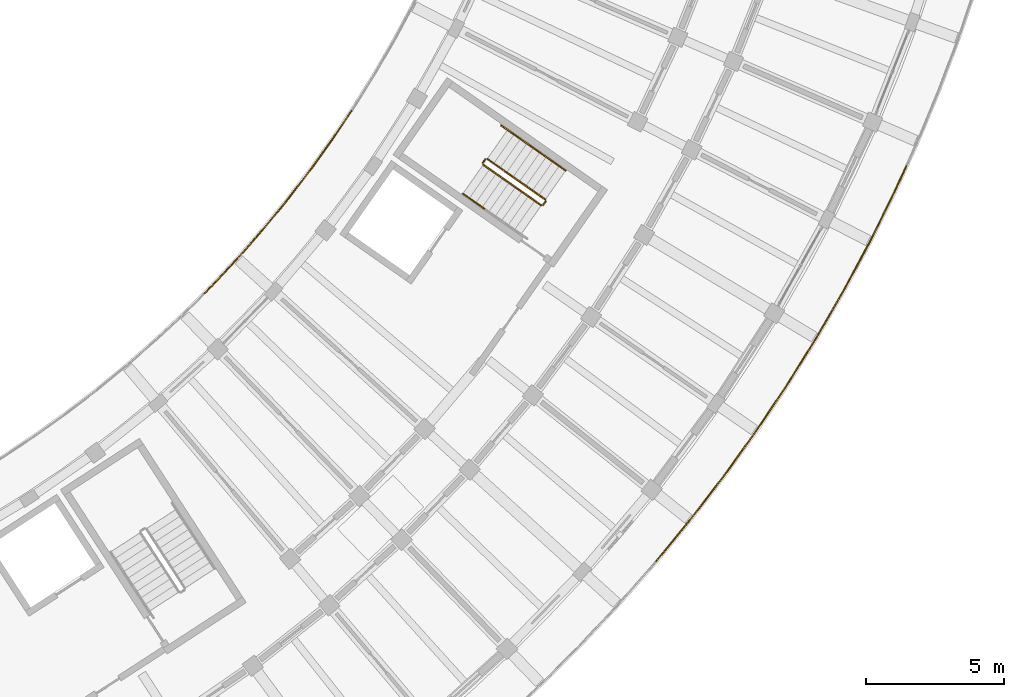
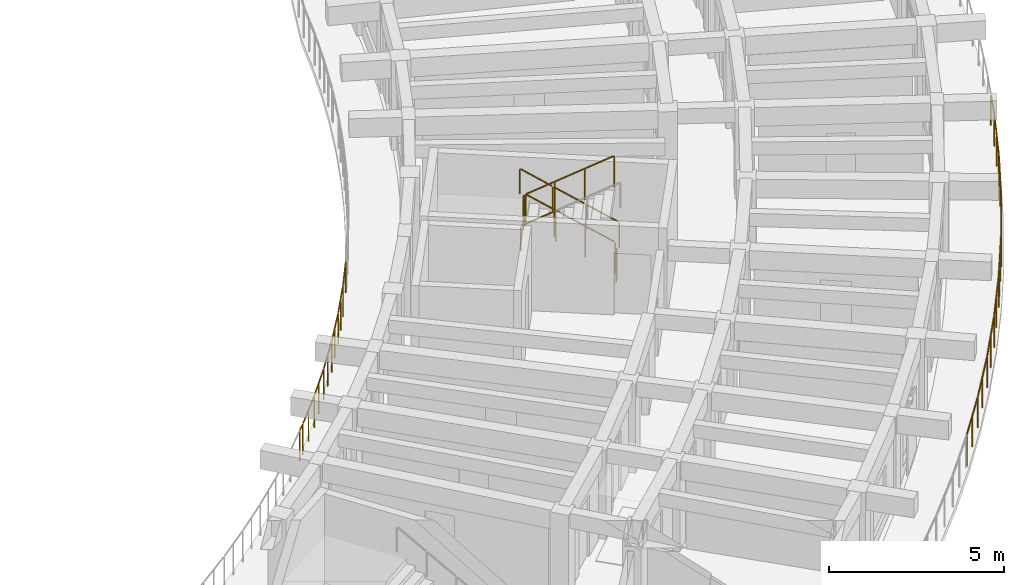
# One storey, part 90 of 96: 11 railings.
"""IFC4 building model written with IfcOpenShell, lengths in metres."""

from ifc_helpers import new_model, si_unit, direction, frame, origin, origin_2d, place, context, subcontext, project, spatial, circle, extrude, material, type_object, element, save


model = new_model("IFC4")

# Units and contexts
model_context = context("Model", 3, precision=1e-05, world=origin(), true_north=direction((0.0, 1.0)))
body_context = subcontext(model_context, "Body", "Model", "MODEL_VIEW")
ifc_project = project(units=[si_unit("LENGTHUNIT", "METRE"), si_unit("AREAUNIT", "SQUARE_METRE"), si_unit("VOLUMEUNIT", "CUBIC_METRE"), si_unit("PLANEANGLEUNIT", "RADIAN"), si_unit("MASSUNIT", "GRAM", prefix="KILO")], contexts=[model_context])

# Site, building, storey
site_placement = place(None, origin())
site = spatial("IfcSite", under=ifc_project, at=site_placement, CompositionType="ELEMENT")
building_placement = place(site_placement, origin())
building = spatial("IfcBuilding", under=site, at=building_placement, Name="Tanwirah Colonnade Gardens", CompositionType="ELEMENT")
storey_placement = place(building_placement, frame((0.0, 0.0, 12.199951171875)))
storey = spatial("IfcBuildingStorey", under=building, at=storey_placement, Name="L03", CompositionType="ELEMENT", Elevation=12.199951171875)

# Railings
ifc_material_1 = material(Name="Precast concrete C40/50", Category="concrete")
railing_type_1 = type_object("IfcRailingType", Name="BAL-EXT110", PredefinedType="BALUSTRADE", material=ifc_material_1)
railing_1_placement = place(storey_placement, frame((151.4033203125, 34.55224609375, 0.0)))
element("IfcRailing", 1, at=railing_1_placement, inside=storey, type_object=railing_type_1, Name="Block D L03 Balcony Ribbon Balustrade 4", PredefinedType="BALUSTRADE", context=body_context, shape_type="SweptSolid", body=[
    extrude(circle(Radius=0.02392578125, at=origin_2d()), frame((0.022216796875, 0.02197265625, 1.076171875), z_axis=(0.707849930104, 0.706362850419, 0.0), x_axis=(-0.706362850419, 0.707849930104, 0.0)), (0.0, 0.0, 1.0), 0.265869140625),
    extrude(circle(Radius=0.02392578125, at=origin_2d()), frame((0.255615234375, 0.256591796875, 1.076171875), z_axis=(0.684424509294, 0.729083733928, 0.0), x_axis=(-0.729083733928, 0.684424509294, 0.0)), (0.0, 0.0, 1.0), 1.33154296875),
    extrude(circle(Radius=0.02392578125, at=origin_2d()), frame((1.210693359375, 1.275634765625, 1.076171875), z_axis=(0.660288280901, 0.751012240982, 0.0), x_axis=(-0.751012240982, 0.660288280901, 0.0)), (0.0, 0.0, 1.0), 1.33154296875),
    extrude(circle(Radius=0.02392578125, at=origin_2d()), frame((2.1318359375, 2.325439453125, 1.076171875), z_axis=(0.635209885743, 0.77233956331, 0.0), x_axis=(-0.77233956331, 0.635209885743, 0.0)), (0.0, 0.0, 1.0), 1.33154296875),
    extrude(circle(Radius=0.02392578125, at=origin_2d()), frame((3.018310546875, 3.40478515625, 1.076171875), z_axis=(0.609651512095, 0.792669561546, 0.0), x_axis=(-0.792669561546, 0.609651512095, 0.0)), (0.0, 0.0, 1.0), 1.33154296875),
    extrude(circle(Radius=0.02392578125, at=origin_2d()), frame((3.868896484375, 4.512451171875, 1.076171875), z_axis=(0.58342309678, 0.812168387802, 0.0), x_axis=(-0.812168387802, 0.58342309678, 0.0)), (0.0, 0.0, 1.0), 1.331298828125),
    extrude(circle(Radius=0.02392578125, at=origin_2d()), frame((4.6826171875, 5.647216796875, 1.076171875), z_axis=(0.556551934592, 0.830812821339, 0.0), x_axis=(-0.830812821339, 0.556551934592, 0.0)), (0.0, 0.0, 1.0), 1.123291015625),
    extrude(circle(Radius=0.02099609375, at=origin_2d()), origin(), (0.0, 0.0, 1.0), 1.049072265625),
    extrude(circle(Radius=0.02099609375, at=origin_2d()), frame((0.232421875, 0.23193359375, 0.0)), (0.0, 0.0, 1.0), 1.049072265625),
    extrude(circle(Radius=0.02099609375, at=origin_2d()), frame((0.711181640625, 0.7421875, 0.0)), (0.0, 0.0, 1.0), 1.049072265625),
    extrude(circle(Radius=0.02099609375, at=origin_2d()), frame((1.188232421875, 1.250244140625, 0.0)), (0.0, 0.0, 1.0), 1.049072265625),
    extrude(circle(Radius=0.02099609375, at=origin_2d()), frame((1.650146484375, 1.775634765625, 0.0)), (0.0, 0.0, 1.0), 1.049072265625),
    extrude(circle(Radius=0.02099609375, at=origin_2d()), frame((2.1103515625, 2.299072265625, 0.0)), (0.0, 0.0, 1.0), 1.049072265625),
    extrude(circle(Radius=0.02099609375, at=origin_2d()), frame((2.5546875, 2.839599609375, 0.0)), (0.0, 0.0, 1.0), 1.049072265625),
    extrude(circle(Radius=0.02099609375, at=origin_2d()), frame((2.99755859375, 3.3779296875, 0.0)), (0.0, 0.0, 1.0), 1.049072265625),
    extrude(circle(Radius=0.02099609375, at=origin_2d()), frame((3.42431640625, 3.932373046875, 0.0)), (0.0, 0.0, 1.0), 1.049072265625),
    extrude(circle(Radius=0.02099609375, at=origin_2d()), frame((3.84912109375, 4.48486328125, 0.0)), (0.0, 0.0, 1.0), 1.049072265625),
    extrude(circle(Radius=0.02099609375, at=origin_2d()), frame((4.25732421875, 5.05322265625, 0.0)), (0.0, 0.0, 1.0), 1.049072265625),
    extrude(circle(Radius=0.02099609375, at=origin_2d()), frame((4.663818359375, 5.619140625, 0.0)), (0.0, 0.0, 1.0), 1.049072265625),
    extrude(circle(Radius=0.02099609375, at=origin_2d()), frame((5.3251953125, 6.6064453125, 0.0)), (0.0, 0.0, 1.0), 1.049072265625),
])
railing_2_placement = place(storey_placement, frame((176.82958984375, 39.15869140625, 0.0)))
element("IfcRailing", 2, at=railing_2_placement, inside=storey, type_object=railing_type_1, Name="Block D L03 Balcony Ribbon Balustrade 11", PredefinedType="BALUSTRADE", context=body_context, shape_type="SweptSolid", body=[
    extrude(circle(Radius=0.02392578125, at=origin_2d()), frame((-0.012939453125, -0.028564453125, 1.076171875), z_axis=(-0.413588400832, -0.910463966721, 0.0), x_axis=(0.910463966721, -0.413588400832, 0.0)), (0.0, 0.0, 1.0), 0.96630859375),
    extrude(circle(Radius=0.02392578125, at=origin_2d()), frame((-0.439453125, -0.96484375, 1.076171875), z_axis=(-0.443316350815, -0.896365223054, 0.0), x_axis=(0.896365223054, -0.443316350815, 0.0)), (0.0, 0.0, 1.0), 1.9443359375),
    extrude(circle(Radius=0.02392578125, at=origin_2d()), frame((-1.329833984375, -2.76318359375, 1.076171875), z_axis=(-0.472342962594, -0.881414843129, 0.0), x_axis=(0.881414843129, -0.472342962594, 0.0)), (0.0, 0.0, 1.0), 1.944091796875),
    extrude(circle(Radius=0.02392578125, at=origin_2d()), frame((-2.278564453125, -4.53125, 1.076171875), z_axis=(-0.500940340279, -0.865481816956, 0.0), x_axis=(0.865481816956, -0.500940340279, 0.0)), (0.0, 0.0, 1.0), 1.94384765625),
    extrude(circle(Radius=0.02392578125, at=origin_2d()), frame((-3.28466796875, -6.267333984375, 1.076171875), z_axis=(-0.528970161013, -0.848640423712, 0.0), x_axis=(0.848640423712, -0.528970161013, 0.0)), (0.0, 0.0, 1.0), 1.388671875),
    extrude(circle(Radius=0.02099609375, at=origin_2d()), origin(), (0.0, 0.0, 1.0), 1.049072265625),
    extrude(circle(Radius=0.02099609375, at=origin_2d()), frame((-0.425537109375, -0.936767578125, 0.0)), (0.0, 0.0, 1.0), 1.049072265625),
    extrude(circle(Radius=0.02099609375, at=origin_2d()), frame((-0.870361328125, -1.836181640625, 0.0)), (0.0, 0.0, 1.0), 1.049072265625),
    extrude(circle(Radius=0.02099609375, at=origin_2d()), frame((-1.315185546875, -2.735595703125, 0.0)), (0.0, 0.0, 1.0), 1.049072265625),
    extrude(circle(Radius=0.02099609375, at=origin_2d()), frame((-1.7890625, -3.619873046875, 0.0)), (0.0, 0.0, 1.0), 1.049072265625),
    extrude(circle(Radius=0.02099609375, at=origin_2d()), frame((-2.262939453125, -4.504150390625, 0.0)), (0.0, 0.0, 1.0), 1.049072265625),
    extrude(circle(Radius=0.02099609375, at=origin_2d()), frame((-2.765625, -5.37255859375, 0.0)), (0.0, 0.0, 1.0), 1.049072265625),
    extrude(circle(Radius=0.02099609375, at=origin_2d()), frame((-3.26806640625, -6.24072265625, 0.0)), (0.0, 0.0, 1.0), 1.049072265625),
    extrude(circle(Radius=0.02099609375, at=origin_2d()), frame((-3.65185546875, -6.8564453125, 0.0)), (0.0, 0.0, 1.0), 1.049072265625),
    extrude(circle(Radius=0.02099609375, at=origin_2d()), frame((-4.03564453125, -7.47216796875, 0.0)), (0.0, 0.0, 1.0), 1.049072265625),
])
railing_3_placement = place(storey_placement, frame((172.7939453125, 31.6865234375, 0.0)))
element("IfcRailing", 3, at=railing_3_placement, inside=storey, type_object=railing_type_1, Name="Block D L03 Balcony Ribbon Balustrade 12", PredefinedType="BALUSTRADE", context=body_context, shape_type="SweptSolid", body=[
    extrude(circle(Radius=0.02392578125, at=origin_2d()), frame((-0.0166015625, -0.026611328125, 1.076171875), z_axis=(-0.529090123172, -0.848565637745, 0.0), x_axis=(0.848565637745, -0.529090123172, 0.0)), (0.0, 0.0, 1.0), 0.4931640625),
    extrude(circle(Radius=0.02392578125, at=origin_2d()), frame((-0.311279296875, -0.497314453125, 1.076171875), z_axis=(-0.556495801451, -0.830850421537, 0.0), x_axis=(0.830850421537, -0.556495801451, 0.0)), (0.0, 0.0, 1.0), 1.944091796875),
    extrude(circle(Radius=0.02392578125, at=origin_2d()), frame((-1.428955078125, -2.1640625, 1.076171875), z_axis=(-0.583285007996, -0.812267566413, 0.0), x_axis=(0.812267566413, -0.583285007996, 0.0)), (0.0, 0.0, 1.0), 1.944091796875),
    extrude(circle(Radius=0.02392578125, at=origin_2d()), frame((-2.60009765625, -3.793212890625, 1.076171875), z_axis=(-0.609669601555, -0.7926556484, 0.0), x_axis=(0.7926556484, -0.609669601555, 0.0)), (0.0, 0.0, 1.0), 1.944091796875),
    extrude(circle(Radius=0.02392578125, at=origin_2d()), frame((-3.82421875, -5.38330078125, 1.076171875), z_axis=(-0.635218069505, -0.772332832511, 0.0), x_axis=(0.772332832511, -0.635218069505, 0.0)), (0.0, 0.0, 1.0), 1.8623046875),
    extrude(circle(Radius=0.02099609375, at=origin_2d()), origin(), (0.0, 0.0, 1.0), 1.049072265625),
    extrude(circle(Radius=0.02099609375, at=origin_2d()), frame((-0.2939453125, -0.471435546875, 0.0)), (0.0, 0.0, 1.0), 1.049072265625),
    extrude(circle(Radius=0.02099609375, at=origin_2d()), frame((-0.852294921875, -1.30517578125, 0.0)), (0.0, 0.0, 1.0), 1.049072265625),
    extrude(circle(Radius=0.02099609375, at=origin_2d()), frame((-1.41064453125, -2.138671875, 0.0)), (0.0, 0.0, 1.0), 1.049072265625),
    extrude(circle(Radius=0.02099609375, at=origin_2d()), frame((-1.995849609375, -2.95361328125, 0.0)), (0.0, 0.0, 1.0), 1.049072265625),
    extrude(circle(Radius=0.02099609375, at=origin_2d()), frame((-2.5810546875, -3.7685546875, 0.0)), (0.0, 0.0, 1.0), 1.049072265625),
    extrude(circle(Radius=0.02099609375, at=origin_2d()), frame((-3.19287109375, -4.56396484375, 0.0)), (0.0, 0.0, 1.0), 1.049072265625),
    extrude(circle(Radius=0.02099609375, at=origin_2d()), frame((-3.804443359375, -5.359130859375, 0.0)), (0.0, 0.0, 1.0), 1.049072265625),
    extrude(circle(Radius=0.02099609375, at=origin_2d()), frame((-4.415771484375, -6.1025390625, 0.0)), (0.0, 0.0, 1.0), 1.049072265625),
    extrude(circle(Radius=0.02099609375, at=origin_2d()), frame((-5.027099609375, -6.845703125, 0.0)), (0.0, 0.0, 1.0), 1.049072265625),
])
ifc_material_2 = material(Name="Powder-coated galvanized steel", Category="steel")
railing_type_2 = type_object("IfcRailingType", Name="GRD-ST110", PredefinedType="GUARDRAIL", material=ifc_material_2)
railing_4_placement = place(storey_placement, frame((163.751220703125, 37.94677734375, 0.16796875)))
element("IfcRailing", 4, at=railing_4_placement, inside=storey, type_object=railing_type_2, Name="L03 ST-D2 stair guard 1", PredefinedType="GUARDRAIL", context=body_context, shape_type="SweptSolid", body=[
    extrude(circle(Radius=0.02392578125, at=origin_2d()), frame((-0.02197265625, 0.015380859375, 1.092041015625), z_axis=(-0.705672637115, 0.494118441931, 0.507812066193), x_axis=(-0.573577325805, -0.819151421486, 0.0)), (0.0, 0.0, 1.0), 2.914794921875),
    extrude(circle(Radius=0.02099609375, at=origin_2d()), origin(), (0.0, 0.0, 1.0), 1.049072265625),
    extrude(circle(Radius=0.02099609375, at=origin_2d()), frame((-0.700439453125, 0.490478515625, 0.50390625)), (0.0, 0.0, 1.0), 1.049072265625),
    extrude(circle(Radius=0.02099609375, at=origin_2d()), frame((-1.400634765625, 0.980712890625, 1.008056640625)), (0.0, 0.0, 1.0), 1.049072265625),
    extrude(circle(Radius=0.02099609375, at=origin_2d()), frame((-2.10107421875, 1.47119140625, 1.511962890625)), (0.0, 0.0, 1.0), 1.049072265625),
])
railing_5_placement = place(storey_placement, frame((161.580322265625, 39.40576171875, 1.679931640625)))
element("IfcRailing", 5, at=railing_5_placement, inside=storey, type_object=railing_type_2, Name="L03 ST-D2 stair guard 2", PredefinedType="GUARDRAIL", context=body_context, shape_type="SweptSolid", body=[
    extrude(circle(Radius=0.02392578125, at=origin_2d()), frame((-0.017822265625, -0.025634765625, 1.076171875), z_axis=(-0.572539769307, -0.819876949647, 0.0), x_axis=(0.819876949647, -0.572539769307, 0.0)), (0.0, 0.0, 1.0), 0.097412109375),
    extrude(circle(Radius=0.02099609375, at=origin_2d()), origin(), (0.0, 0.0, 1.0), 1.049072265625),
    extrude(circle(Radius=0.02099609375, at=origin_2d()), frame((-0.091552734375, -0.131103515625, 0.0)), (0.0, 0.0, 1.0), 1.049072265625),
])
railing_6_placement = place(storey_placement, frame((161.5009765625, 39.205078125, 1.84814453125)))
element("IfcRailing", 6, at=railing_6_placement, inside=storey, type_object=railing_type_2, Name="L03 ST-D2 stair guard 3", PredefinedType="GUARDRAIL", context=body_context, shape_type="SweptSolid", body=[
    extrude(circle(Radius=0.02392578125, at=origin_2d()), frame((0.02197265625, -0.015380859375, 1.092041015625), z_axis=(0.705672637115, -0.494118441931, 0.507812066193), x_axis=(0.573577325805, 0.819151421486, 0.0)), (0.0, 0.0, 1.0), 2.914794921875),
    extrude(circle(Radius=0.02099609375, at=origin_2d()), origin(), (0.0, 0.0, 1.0), 1.049072265625),
    extrude(circle(Radius=0.02099609375, at=origin_2d()), frame((0.700439453125, -0.490478515625, 0.50390625)), (0.0, 0.0, 1.0), 1.049072265625),
    extrude(circle(Radius=0.02099609375, at=origin_2d()), frame((1.400634765625, -0.980712890625, 1.008056640625)), (0.0, 0.0, 1.0), 1.049072265625),
    extrude(circle(Radius=0.02099609375, at=origin_2d()), frame((2.10107421875, -1.47119140625, 1.511962890625)), (0.0, 0.0, 1.0), 1.049072265625),
])
railing_7_placement = place(storey_placement, frame((163.763427734375, 37.877197265625, 0.0)))
element("IfcRailing", 7, at=railing_7_placement, inside=storey, type_object=railing_type_2, Name="L03 ST-D2 stair guard 4", PredefinedType="GUARDRAIL", context=body_context, shape_type="SweptSolid", body=[
    extrude(circle(Radius=0.02392578125, at=origin_2d()), frame((-0.017822265625, -0.025634765625, 1.076171875), z_axis=(-0.57356471828, -0.819160249246, 0.0), x_axis=(0.819160249246, -0.57356471828, 0.0)), (0.0, 0.0, 1.0), 0.097412109375),
    extrude(circle(Radius=0.02099609375, at=origin_2d()), origin(), (0.0, 0.0, 1.0), 1.049072265625),
    extrude(circle(Radius=0.02099609375, at=origin_2d()), frame((-0.091796875, -0.131103515625, 0.0)), (0.0, 0.0, 1.0), 1.049072265625),
])
ifc_material_3 = material(Name="Brushed bronze stainless steel", Category="steel")
railing_type_3 = type_object("IfcRailingType", Name="HR-ST090", PredefinedType="HANDRAIL", material=ifc_material_3)
railing_8_placement = place(storey_placement, frame((164.4853515625, 38.995361328125, 0.16796875)))
element("IfcRailing", 8, at=railing_8_placement, inside=storey, type_object=railing_type_3, Name="L03 ST-D2 stair handrail 1", PredefinedType="HANDRAIL", context=body_context, shape_type="SweptSolid", body=[
    extrude(circle(Radius=0.02392578125, at=origin_2d()), frame((-0.02197265625, 0.015380859375, 0.891845703125), z_axis=(-0.703606519106, 0.492767414699, 0.511974746723), x_axis=(-0.57365206981, -0.819099079967, 0.0)), (0.0, 0.0, 1.0), 1.043212890625),
    extrude(circle(Radius=0.02099609375, at=origin_2d()), origin(), (0.0, 0.0, 1.0), 0.848876953125),
    extrude(circle(Radius=0.02099609375, at=origin_2d()), frame((-0.778076171875, 0.544921875, 0.566162109375)), (0.0, 0.0, 1.0), 0.848876953125),
])
railing_9_placement = place(storey_placement, frame((163.707275390625, 39.540283203125, 0.734130859375)))
element("IfcRailing", 9, at=railing_9_placement, inside=storey, type_object=railing_type_3, Name="L03 ST-D2 stair handrail 2", PredefinedType="HANDRAIL", context=body_context, shape_type="SweptSolid", body=[
    extrude(circle(Radius=0.02392578125, at=origin_2d()), frame((-0.02197265625, 0.015380859375, 0.891845703125), z_axis=(-0.703797483594, 0.492746544348, 0.511732298297), x_axis=(-0.573531324472, -0.819183630115, 0.0)), (0.0, 0.0, 1.0), 1.04345703125),
    extrude(circle(Radius=0.02099609375, at=origin_2d()), origin(), (0.0, 0.0, 1.0), 0.848876953125),
    extrude(circle(Radius=0.02099609375, at=origin_2d()), frame((-0.7783203125, 0.544921875, 0.56591796875)), (0.0, 0.0, 1.0), 0.848876953125),
])
railing_10_placement = place(storey_placement, frame((162.928955078125, 40.085205078125, 1.300048828125)))
element("IfcRailing", 10, at=railing_10_placement, inside=storey, type_object=railing_type_3, Name="L03 ST-D2 stair handrail 3", PredefinedType="HANDRAIL", context=body_context, shape_type="SweptSolid", body=[
    extrude(circle(Radius=0.02392578125, at=origin_2d()), frame((-0.02197265625, 0.015380859375, 0.891845703125), z_axis=(-0.703686044561, 0.492823109966, 0.511811814023), x_axis=(-0.57365206981, -0.819099079967, 0.0)), (0.0, 0.0, 1.0), 1.043212890625),
    extrude(circle(Radius=0.02099609375, at=origin_2d()), origin(), (0.0, 0.0, 1.0), 0.848876953125),
    extrude(circle(Radius=0.02099609375, at=origin_2d()), frame((-0.778076171875, 0.544921875, 0.56591796875)), (0.0, 0.0, 1.0), 0.848876953125),
])
railing_11_placement = place(storey_placement, frame((160.766845703125, 38.156494140625, 1.84814453125)))
element("IfcRailing", 11, at=railing_11_placement, inside=storey, type_object=railing_type_3, Name="L03 ST-D2 stair handrail 4", PredefinedType="HANDRAIL", context=body_context, shape_type="SweptSolid", body=[
    extrude(circle(Radius=0.02392578125, at=origin_2d()), frame((0.02197265625, -0.015380859375, 0.891845703125), z_axis=(0.703686044561, -0.492823109966, 0.511811814023), x_axis=(0.57365206981, 0.819099079967, 0.0)), (0.0, 0.0, 1.0), 1.043212890625),
    extrude(circle(Radius=0.02099609375, at=origin_2d()), origin(), (0.0, 0.0, 1.0), 0.848876953125),
    extrude(circle(Radius=0.02099609375, at=origin_2d()), frame((0.778076171875, -0.544921875, 0.56591796875)), (0.0, 0.0, 1.0), 0.848876953125),
])

save(model, "model.ifc")
